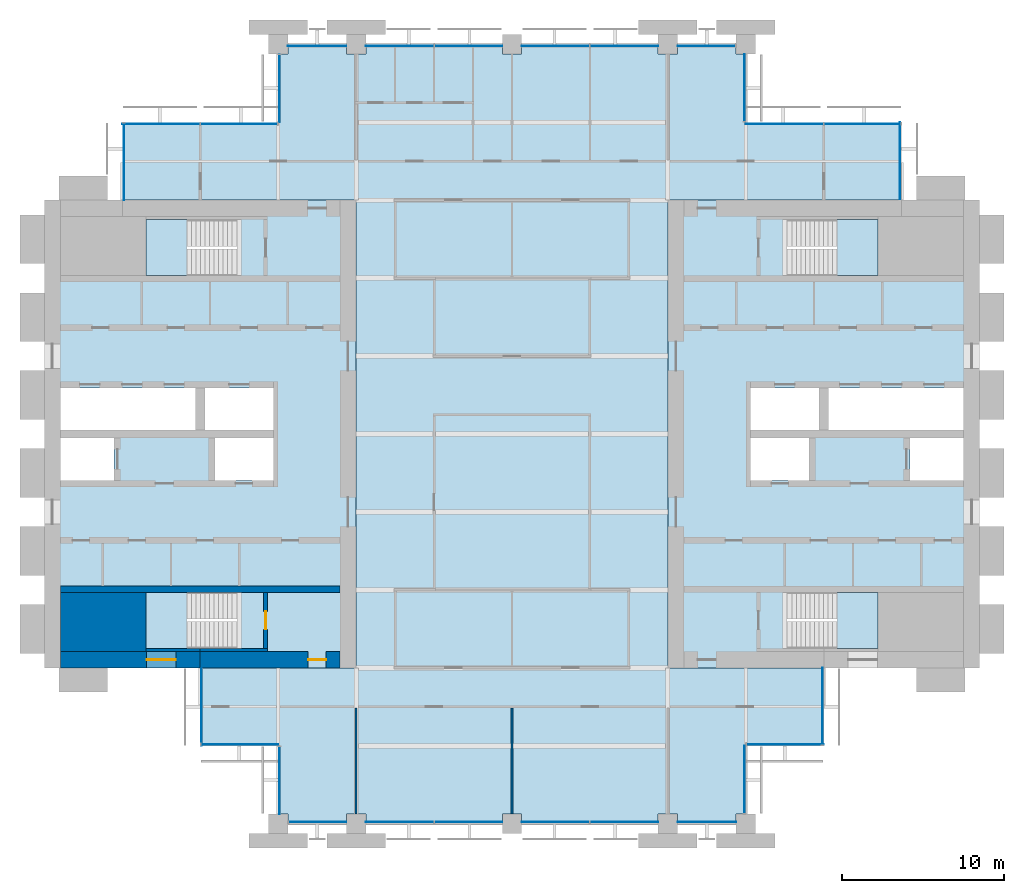
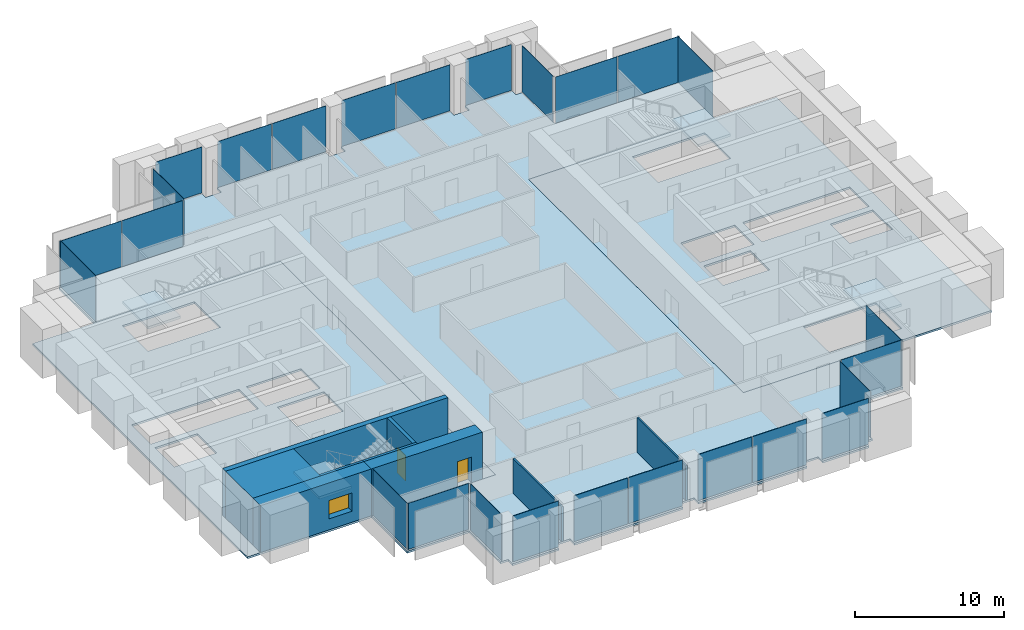
# One storey, part 8 of 14: 26 plates, 9 walls, 7 slabs, 2 doors, 1 window, 3 openings, 18 elements without a shape of their own.
"""IFC4 building model written with IfcOpenShell, lengths in metres."""

from ifc_helpers import new_model, si_unit, direction, frame, frame_2d, origin, origin_2d, place, context, subcontext, project, spatial, polyline, rectangle, outline, extrude, material, layer, layer_set, type_object, element, fill, aggregate, save


model = new_model("IFC4")

# Units and contexts
model_context = context("Model", 3, precision=1e-05, world=origin(), true_north=direction((0.0, 1.0)))
body_context = subcontext(model_context, "Body", "Model", "MODEL_VIEW")
ifc_project = project(units=[si_unit("LENGTHUNIT", "METRE"), si_unit("AREAUNIT", "SQUARE_METRE"), si_unit("VOLUMEUNIT", "CUBIC_METRE"), si_unit("PLANEANGLEUNIT", "RADIAN"), si_unit("MASSUNIT", "GRAM", prefix="KILO")], contexts=[model_context])

# Site, building, storey
site_placement = place(None, origin())
site = spatial("IfcSite", under=ifc_project, at=site_placement, CompositionType="ELEMENT")
building_placement = place(site_placement, origin())
building = spatial("IfcBuilding", under=site, at=building_placement, Name="Baori Bourse Tower", CompositionType="ELEMENT")
storey_placement = place(building_placement, frame((0.0, 0.0, 136.10009765625)))
storey = spatial("IfcBuildingStorey", under=building, at=storey_placement, Name="L29", CompositionType="ELEMENT", Elevation=136.10009765625)

# Curtain wall, plates
ifc_material_1 = material(Name="Pale anodised aluminium", Category="aluminium")
curtain_wall_type_1 = type_object("IfcCurtainWallType", Name="CW1 Curtain wall", PredefinedType="NOTDEFINED", material=ifc_material_1)
curtain_wall_1_placement = place(storey_placement, origin())
curtain_wall_1 = element("IfcCurtainWall", 1, at=curtain_wall_1_placement, inside=storey, type_object=curtain_wall_type_1, Name="Curtain wall CW1 L29 4", PredefinedType="NOTDEFINED")
ifc_material_2 = material(Name="Clear glass", Category="glass")
ifc_layer_1 = layer(ifc_material_2, 0.033935546875)
ifc_layer_set_1 = layer_set([ifc_layer_1], Name="CW1 Curtain wall panel")
plate_type_1 = type_object("IfcPlateType", Name="CW1 Curtain wall panel", PredefinedType="CURTAIN_PANEL", material=ifc_layer_set_1)
plate_1_placement = place(storey_placement, frame((40.77001953125, 47.89990234375, 0.080078125), z_axis=(0.0, 0.0, 1.0), x_axis=(-1.0, 0.0, 0.0)))
plate_1 = element("IfcPlate", 2, at=plate_1_placement, type_object=plate_type_1, Name="Curtain wall CW1 panel", PredefinedType="CURTAIN_PANEL", context=body_context, shape_type="SweptSolid", body=[
    extrude(rectangle(XDim=3.5400390625, YDim=0.033935546875, at=origin_2d()), origin(), (0.0, 0.0, 1.0), 3.760009765625),
])
plate_2_placement = place(storey_placement, frame((35.715087890625, 47.89990234375, 0.080078125), z_axis=(0.0, 0.0, 1.0), x_axis=(-1.0, 0.0, 0.0)))
plate_2 = element("IfcPlate", 3, at=plate_2_placement, type_object=plate_type_1, Name="Curtain wall CW1 panel", PredefinedType="CURTAIN_PANEL", context=body_context, shape_type="SweptSolid", body=[
    extrude(rectangle(XDim=4.169921875, YDim=0.033935546875, at=origin_2d()), origin(), (0.0, 0.0, 1.0), 3.760009765625),
])
plate_3_placement = place(storey_placement, frame((31.485107421875, 47.89990234375, 0.080078125), z_axis=(0.0, 0.0, 1.0), x_axis=(-1.0, 0.0, 0.0)))
plate_3 = element("IfcPlate", 4, at=plate_3_placement, type_object=plate_type_1, Name="Curtain wall CW1 panel", PredefinedType="CURTAIN_PANEL", context=body_context, shape_type="SweptSolid", body=[
    extrude(rectangle(XDim=4.169921875, YDim=0.033935546875, at=origin_2d()), origin(), (0.0, 0.0, 1.0), 3.760009765625),
])
plate_4_placement = place(storey_placement, frame((26.114990234375, 47.89990234375, 0.080078125), z_axis=(0.0, 0.0, 1.0), x_axis=(-1.0, 0.0, 0.0)))
plate_4 = element("IfcPlate", 5, at=plate_4_placement, type_object=plate_type_1, Name="Curtain wall CW1 panel", PredefinedType="CURTAIN_PANEL", context=body_context, shape_type="SweptSolid", body=[
    extrude(rectangle(XDim=4.169921875, YDim=0.033935546875, at=origin_2d()), origin(), (0.0, 0.0, 1.0), 3.760009765625),
])
plate_5_placement = place(storey_placement, frame((21.885009765625, 47.89990234375, 0.080078125), z_axis=(0.0, 0.0, 1.0), x_axis=(-1.0, 0.0, 0.0)))
plate_5 = element("IfcPlate", 6, at=plate_5_placement, type_object=plate_type_1, Name="Curtain wall CW1 panel", PredefinedType="CURTAIN_PANEL", context=body_context, shape_type="SweptSolid", body=[
    extrude(rectangle(XDim=4.169921875, YDim=0.033935546875, at=origin_2d()), origin(), (0.0, 0.0, 1.0), 3.760009765625),
])
plate_6_placement = place(storey_placement, frame((16.800048828125, 47.89990234375, 0.080078125), z_axis=(0.0, 0.0, 1.0), x_axis=(-1.0, 0.0, 0.0)))
plate_6 = element("IfcPlate", 7, at=plate_6_placement, type_object=plate_type_1, Name="Curtain wall CW1 panel", PredefinedType="CURTAIN_PANEL", context=body_context, shape_type="SweptSolid", body=[
    extrude(rectangle(XDim=3.60009765625, YDim=0.033935546875, at=origin_2d()), origin(), (0.0, 0.0, 1.0), 3.760009765625),
])
aggregate(curtain_wall_1, [plate_1, plate_2, plate_3, plate_4, plate_5, plate_6])

curtain_wall_2_placement = place(storey_placement, origin())
curtain_wall_2 = element("IfcCurtainWall", 8, at=curtain_wall_2_placement, inside=storey, type_object=curtain_wall_type_1, Name="Curtain wall CW1 L29 11", PredefinedType="NOTDEFINED")
plate_7_placement = place(storey_placement, frame((16.830078125, 0.10009765625, 0.080078125), z_axis=(0.0, 0.0, 1.0), x_axis=(1.0, 0.0, 0.0)))
plate_7 = element("IfcPlate", 9, at=plate_7_placement, type_object=plate_type_1, Name="Curtain wall CW1 panel", PredefinedType="CURTAIN_PANEL", context=body_context, shape_type="SweptSolid", body=[
    extrude(rectangle(XDim=3.5400390625, YDim=0.033935546875, at=origin_2d()), origin(), (0.0, 0.0, 1.0), 3.760009765625),
])
plate_8_placement = place(storey_placement, frame((21.885009765625, 0.10009765625, 0.080078125), z_axis=(0.0, 0.0, 1.0), x_axis=(1.0, 0.0, 0.0)))
plate_8 = element("IfcPlate", 10, at=plate_8_placement, type_object=plate_type_1, Name="Curtain wall CW1 panel", PredefinedType="CURTAIN_PANEL", context=body_context, shape_type="SweptSolid", body=[
    extrude(rectangle(XDim=4.169921875, YDim=0.033935546875, at=origin_2d()), origin(), (0.0, 0.0, 1.0), 3.760009765625),
])
plate_9_placement = place(storey_placement, frame((26.114990234375, 0.10009765625, 0.080078125), z_axis=(0.0, 0.0, 1.0), x_axis=(1.0, 0.0, 0.0)))
plate_9 = element("IfcPlate", 11, at=plate_9_placement, type_object=plate_type_1, Name="Curtain wall CW1 panel", PredefinedType="CURTAIN_PANEL", context=body_context, shape_type="SweptSolid", body=[
    extrude(rectangle(XDim=4.169921875, YDim=0.033935546875, at=origin_2d()), origin(), (0.0, 0.0, 1.0), 3.760009765625),
])
plate_10_placement = place(storey_placement, frame((31.485107421875, 0.10009765625, 0.080078125), z_axis=(0.0, 0.0, 1.0), x_axis=(1.0, 0.0, 0.0)))
plate_10 = element("IfcPlate", 12, at=plate_10_placement, type_object=plate_type_1, Name="Curtain wall CW1 panel", PredefinedType="CURTAIN_PANEL", context=body_context, shape_type="SweptSolid", body=[
    extrude(rectangle(XDim=4.169921875, YDim=0.033935546875, at=origin_2d()), origin(), (0.0, 0.0, 1.0), 3.760009765625),
])
plate_11_placement = place(storey_placement, frame((35.715087890625, 0.10009765625, 0.080078125), z_axis=(0.0, 0.0, 1.0), x_axis=(1.0, 0.0, 0.0)))
plate_11 = element("IfcPlate", 13, at=plate_11_placement, type_object=plate_type_1, Name="Curtain wall CW1 panel", PredefinedType="CURTAIN_PANEL", context=body_context, shape_type="SweptSolid", body=[
    extrude(rectangle(XDim=4.169921875, YDim=0.033935546875, at=origin_2d()), origin(), (0.0, 0.0, 1.0), 3.760009765625),
])
plate_12_placement = place(storey_placement, frame((40.800048828125, 0.10009765625, 0.080078125), z_axis=(0.0, 0.0, 1.0), x_axis=(1.0, 0.0, 0.0)))
plate_12 = element("IfcPlate", 14, at=plate_12_placement, type_object=plate_type_1, Name="Curtain wall CW1 panel", PredefinedType="CURTAIN_PANEL", context=body_context, shape_type="SweptSolid", body=[
    extrude(rectangle(XDim=3.60009765625, YDim=0.033935546875, at=origin_2d()), origin(), (0.0, 0.0, 1.0), 3.760009765625),
])
aggregate(curtain_wall_2, [plate_7, plate_8, plate_9, plate_10, plate_11, plate_12])

# Curtain wall, plate
ifc_material_3 = material(Name="Pale anodised aluminium", Category="aluminium")
curtain_wall_type_2 = type_object("IfcCurtainWallType", Name="CW2 Curtain wall", PredefinedType="NOTDEFINED", material=ifc_material_3)
curtain_wall_3_placement = place(storey_placement, origin())
curtain_wall_3 = element("IfcCurtainWall", 15, at=curtain_wall_3_placement, inside=storey, type_object=curtain_wall_type_2, Name="Curtain wall CW2 L29 1", PredefinedType="NOTDEFINED")
ifc_material_4 = material(Name="Clear glass", Category="glass")
ifc_layer_2 = layer(ifc_material_4, 0.030029296875)
ifc_layer_set_2 = layer_set([ifc_layer_2], Name="CW2 Curtain wall panel")
plate_type_2 = type_object("IfcPlateType", Name="CW2 Curtain wall panel", PredefinedType="CURTAIN_PANEL", material=ifc_layer_set_2)
plate_13_placement = place(storey_placement, frame((52.7099609375, 40.827392578125, 0.06982421875), z_axis=(0.0, 0.0, 1.0), x_axis=(0.0, 1.0, 0.0)))
plate_13 = element("IfcPlate", 16, at=plate_13_placement, type_object=plate_type_2, Name="Curtain wall CW2 panel", PredefinedType="CURTAIN_PANEL", context=body_context, shape_type="SweptSolid", body=[
    extrude(rectangle(XDim=4.7451171875, YDim=0.030029296875, at=origin_2d()), origin(), (0.0, 0.0, 1.0), 3.77001953125),
])
aggregate(curtain_wall_3, [plate_13])

# Curtain wall, plates
curtain_wall_4_placement = place(storey_placement, origin())
curtain_wall_4 = element("IfcCurtainWall", 17, at=curtain_wall_4_placement, inside=storey, type_object=curtain_wall_type_2, Name="Curtain wall CW2 L29 2", PredefinedType="NOTDEFINED")
plate_14_placement = place(storey_placement, frame((50.38623046875, 43.110107421875, 0.06982421875), z_axis=(0.0, 0.0, 1.0), x_axis=(-1.0, 0.0, 0.0)))
plate_14 = element("IfcPlate", 18, at=plate_14_placement, type_object=plate_type_2, Name="Curtain wall CW2 panel", PredefinedType="CURTAIN_PANEL", context=body_context, shape_type="SweptSolid", body=[
    extrude(rectangle(XDim=4.717529296875, YDim=0.030029296875, at=origin_2d()), origin(), (0.0, 0.0, 1.0), 3.77001953125),
])
plate_15_placement = place(storey_placement, frame((45.586181640625, 43.110107421875, 0.06982421875), z_axis=(0.0, 0.0, 1.0), x_axis=(-1.0, 0.0, 0.0)))
plate_15 = element("IfcPlate", 19, at=plate_15_placement, type_object=plate_type_2, Name="Curtain wall CW2 panel", PredefinedType="CURTAIN_PANEL", context=body_context, shape_type="SweptSolid", body=[
    extrude(rectangle(XDim=4.7724609375, YDim=0.030029296875, at=origin_2d()), origin(), (0.0, 0.0, 1.0), 3.77001953125),
])
aggregate(curtain_wall_4, [plate_14, plate_15])

# Curtain wall, plate
curtain_wall_5_placement = place(storey_placement, origin())
curtain_wall_5 = element("IfcCurtainWall", 20, at=curtain_wall_5_placement, inside=storey, type_object=curtain_wall_type_2, Name="Curtain wall CW2 L29 3", PredefinedType="NOTDEFINED")
plate_16_placement = place(storey_placement, frame((43.110107421875, 45.327392578125, 0.06982421875), z_axis=(0.0, 0.0, 1.0), x_axis=(0.0, 1.0, 0.0)))
plate_16 = element("IfcPlate", 21, at=plate_16_placement, type_object=plate_type_2, Name="Curtain wall CW2 panel", PredefinedType="CURTAIN_PANEL", context=body_context, shape_type="SweptSolid", body=[
    extrude(rectangle(XDim=4.14501953125, YDim=0.030029296875, at=origin_2d()), origin(), (0.0, 0.0, 1.0), 3.77001953125),
])
aggregate(curtain_wall_5, [plate_16])

curtain_wall_6_placement = place(storey_placement, origin())
curtain_wall_6 = element("IfcCurtainWall", 22, at=curtain_wall_6_placement, inside=storey, type_object=curtain_wall_type_2, Name="Curtain wall CW2 L29 5", PredefinedType="NOTDEFINED")
plate_17_placement = place(storey_placement, frame((14.489990234375, 45.2724609375, 0.06982421875), z_axis=(0.0, 0.0, 1.0), x_axis=(0.0, -1.0, 0.0)))
plate_17 = element("IfcPlate", 23, at=plate_17_placement, type_object=plate_type_2, Name="Curtain wall CW2 panel", PredefinedType="CURTAIN_PANEL", context=body_context, shape_type="SweptSolid", body=[
    extrude(rectangle(XDim=4.14501953125, YDim=0.030029296875, at=origin_2d()), origin(), (0.0, 0.0, 1.0), 3.77001953125),
])
aggregate(curtain_wall_6, [plate_17])

# Curtain wall, plates
curtain_wall_7_placement = place(storey_placement, origin())
curtain_wall_7 = element("IfcCurtainWall", 24, at=curtain_wall_7_placement, inside=storey, type_object=curtain_wall_type_2, Name="Curtain wall CW2 L29 6", PredefinedType="NOTDEFINED")
plate_18_placement = place(storey_placement, frame((11.986328125, 43.110107421875, 0.06982421875), z_axis=(0.0, 0.0, 1.0), x_axis=(-1.0, 0.0, 0.0)))
plate_18 = element("IfcPlate", 25, at=plate_18_placement, type_object=plate_type_2, Name="Curtain wall CW2 panel", PredefinedType="CURTAIN_PANEL", context=body_context, shape_type="SweptSolid", body=[
    extrude(rectangle(XDim=4.717529296875, YDim=0.030029296875, at=origin_2d()), origin(), (0.0, 0.0, 1.0), 3.77001953125),
])
plate_19_placement = place(storey_placement, frame((7.186279296875, 43.110107421875, 0.06982421875), z_axis=(0.0, 0.0, 1.0), x_axis=(-1.0, 0.0, 0.0)))
plate_19 = element("IfcPlate", 26, at=plate_19_placement, type_object=plate_type_2, Name="Curtain wall CW2 panel", PredefinedType="CURTAIN_PANEL", context=body_context, shape_type="SweptSolid", body=[
    extrude(rectangle(XDim=4.7724609375, YDim=0.030029296875, at=origin_2d()), origin(), (0.0, 0.0, 1.0), 3.77001953125),
])
aggregate(curtain_wall_7, [plate_18, plate_19])

# Curtain wall, plate
curtain_wall_8_placement = place(storey_placement, origin())
curtain_wall_8 = element("IfcCurtainWall", 27, at=curtain_wall_8_placement, inside=storey, type_object=curtain_wall_type_2, Name="Curtain wall CW2 L29 7", PredefinedType="NOTDEFINED")
plate_20_placement = place(storey_placement, frame((4.889892578125, 40.7724609375, 0.06982421875), z_axis=(0.0, 0.0, 1.0), x_axis=(0.0, -1.0, 0.0)))
plate_20 = element("IfcPlate", 28, at=plate_20_placement, type_object=plate_type_2, Name="Curtain wall CW2 panel", PredefinedType="CURTAIN_PANEL", context=body_context, shape_type="SweptSolid", body=[
    extrude(rectangle(XDim=4.7451171875, YDim=0.030029296875, at=origin_2d()), origin(), (0.0, 0.0, 1.0), 3.77001953125),
])
aggregate(curtain_wall_8, [plate_20])

curtain_wall_9_placement = place(storey_placement, origin())
curtain_wall_9 = element("IfcCurtainWall", 29, at=curtain_wall_9_placement, inside=storey, type_object=curtain_wall_type_2, Name="Curtain wall CW2 L29 8", PredefinedType="NOTDEFINED")
plate_21_placement = place(storey_placement, frame((9.68994140625, 7.172607421875, 0.06982421875), z_axis=(0.0, 0.0, 1.0), x_axis=(0.0, -1.0, 0.0)))
plate_21 = element("IfcPlate", 30, at=plate_21_placement, type_object=plate_type_2, Name="Curtain wall CW2 panel", PredefinedType="CURTAIN_PANEL", context=body_context, shape_type="SweptSolid", body=[
    extrude(rectangle(XDim=4.7451171875, YDim=0.030029296875, at=origin_2d()), origin(), (0.0, 0.0, 1.0), 3.77001953125),
])
aggregate(curtain_wall_9, [plate_21])

curtain_wall_10_placement = place(storey_placement, origin())
curtain_wall_10 = element("IfcCurtainWall", 31, at=curtain_wall_10_placement, inside=storey, type_object=curtain_wall_type_2, Name="Curtain wall CW2 L29 9", PredefinedType="NOTDEFINED")
plate_22_placement = place(storey_placement, frame((12.027587890625, 4.889892578125, 0.06982421875), z_axis=(0.0, 0.0, 1.0), x_axis=(1.0, 0.0, 0.0)))
plate_22 = element("IfcPlate", 32, at=plate_22_placement, type_object=plate_type_2, Name="Curtain wall CW2 panel", PredefinedType="CURTAIN_PANEL", context=body_context, shape_type="SweptSolid", body=[
    extrude(rectangle(XDim=4.7451171875, YDim=0.030029296875, at=origin_2d()), origin(), (0.0, 0.0, 1.0), 3.77001953125),
])
aggregate(curtain_wall_10, [plate_22])

curtain_wall_11_placement = place(storey_placement, origin())
curtain_wall_11 = element("IfcCurtainWall", 33, at=curtain_wall_11_placement, inside=storey, type_object=curtain_wall_type_2, Name="Curtain wall CW2 L29 10", PredefinedType="NOTDEFINED")
plate_23_placement = place(storey_placement, frame((14.489990234375, 2.672607421875, 0.06982421875), z_axis=(0.0, 0.0, 1.0), x_axis=(0.0, -1.0, 0.0)))
plate_23 = element("IfcPlate", 34, at=plate_23_placement, type_object=plate_type_2, Name="Curtain wall CW2 panel", PredefinedType="CURTAIN_PANEL", context=body_context, shape_type="SweptSolid", body=[
    extrude(rectangle(XDim=4.14501953125, YDim=0.030029296875, at=origin_2d()), origin(), (0.0, 0.0, 1.0), 3.77001953125),
])
aggregate(curtain_wall_11, [plate_23])

curtain_wall_12_placement = place(storey_placement, origin())
curtain_wall_12 = element("IfcCurtainWall", 35, at=curtain_wall_12_placement, inside=storey, type_object=curtain_wall_type_2, Name="Curtain wall CW2 L29 12", PredefinedType="NOTDEFINED")
plate_24_placement = place(storey_placement, frame((43.110107421875, 2.7275390625, 0.06982421875), z_axis=(0.0, 0.0, 1.0), x_axis=(0.0, 1.0, 0.0)))
plate_24 = element("IfcPlate", 36, at=plate_24_placement, type_object=plate_type_2, Name="Curtain wall CW2 panel", PredefinedType="CURTAIN_PANEL", context=body_context, shape_type="SweptSolid", body=[
    extrude(rectangle(XDim=4.14501953125, YDim=0.030029296875, at=origin_2d()), origin(), (0.0, 0.0, 1.0), 3.77001953125),
])
aggregate(curtain_wall_12, [plate_24])

curtain_wall_13_placement = place(storey_placement, origin())
curtain_wall_13 = element("IfcCurtainWall", 37, at=curtain_wall_13_placement, inside=storey, type_object=curtain_wall_type_2, Name="Curtain wall CW2 L29 13", PredefinedType="NOTDEFINED")
plate_25_placement = place(storey_placement, frame((45.62744140625, 4.889892578125, 0.06982421875), z_axis=(0.0, 0.0, 1.0), x_axis=(1.0, 0.0, 0.0)))
plate_25 = element("IfcPlate", 38, at=plate_25_placement, type_object=plate_type_2, Name="Curtain wall CW2 panel", PredefinedType="CURTAIN_PANEL", context=body_context, shape_type="SweptSolid", body=[
    extrude(rectangle(XDim=4.7451171875, YDim=0.030029296875, at=origin_2d()), origin(), (0.0, 0.0, 1.0), 3.77001953125),
])
aggregate(curtain_wall_13, [plate_25])

curtain_wall_14_placement = place(storey_placement, origin())
curtain_wall_14 = element("IfcCurtainWall", 39, at=curtain_wall_14_placement, inside=storey, type_object=curtain_wall_type_2, Name="Curtain wall CW2 L29 14", PredefinedType="NOTDEFINED")
plate_26_placement = place(storey_placement, frame((47.909912109375, 7.2275390625, 0.06982421875), z_axis=(0.0, 0.0, 1.0), x_axis=(0.0, 1.0, 0.0)))
plate_26 = element("IfcPlate", 40, at=plate_26_placement, type_object=plate_type_2, Name="Curtain wall CW2 panel", PredefinedType="CURTAIN_PANEL", context=body_context, shape_type="SweptSolid", body=[
    extrude(rectangle(XDim=4.7451171875, YDim=0.030029296875, at=origin_2d()), origin(), (0.0, 0.0, 1.0), 3.77001953125),
])
aggregate(curtain_wall_14, [plate_26])

# Slabs
ifc_material_5 = material(Name="Concrete f'c 50 MPa", Category="concrete")
ifc_layer_3 = layer(ifc_material_5, 0.159912109375)
ifc_layer_set_3 = layer_set([ifc_layer_3], Name="Core slab 160")
slab_type_1 = type_object("IfcSlabType", Name="Core slab 160", PredefinedType="FLOOR", material=ifc_layer_set_3)
slab_1_placement = place(storey_placement, frame((0.0, 0.0, -0.16015625)))
element("IfcSlab", 41, at=slab_1_placement, inside=storey, type_object=slab_type_1, Name="Core floor slab W01", PredefinedType="FLOOR", context=body_context, shape_type="SweptSolid", body=[
    extrude(outline(polyline([(0.0, 38.39990234375), (0.0, 9.60009765625), (19.199951171875, 9.60009765625), (19.199951171875, 38.39990234375), (0.0, 38.39990234375)]), holes=[polyline([(10.5, 21.14990234375), (10.5, 23.75), (14.10009765625, 23.75), (14.10009765625, 21.14990234375), (10.5, 21.14990234375)]), polyline([(14.10009765625, 24.25), (9.89990234375, 24.25), (9.89990234375, 26.85009765625), (14.10009765625, 26.85009765625), (14.10009765625, 24.25)]), polyline([(6.25, 14.25), (11.84912109375, 14.25), (11.84912109375, 10.800048828125), (6.25, 10.800048828125), (6.25, 14.25)]), polyline([(11.84912109375, 37.199951171875), (11.84912109375, 33.75), (6.25, 33.75), (6.25, 37.199951171875), (11.84912109375, 37.199951171875)]), polyline([(1.0, 26.85009765625), (9.300048828125, 26.85009765625), (9.300048828125, 24.25), (1.0, 24.25), (1.0, 26.85009765625)]), polyline([(4.300048828125, 23.75), (4.300048828125, 21.14990234375), (1.0, 21.14990234375), (1.0, 23.75), (4.300048828125, 23.75)])]), origin(), (0.0, 0.0, 1.0), 0.16015625),
])
slab_2_placement = place(storey_placement, frame((0.0, 0.0, -0.16015625)))
element("IfcSlab", 42, at=slab_2_placement, inside=storey, type_object=slab_type_1, Name="Core floor slab E01", PredefinedType="FLOOR", context=body_context, shape_type="SweptSolid", body=[
    extrude(outline(polyline([(57.60009765625, 38.39990234375), (38.39990234375, 38.39990234375), (38.39990234375, 9.60009765625), (57.60009765625, 9.60009765625), (57.60009765625, 38.39990234375)]), holes=[polyline([(56.60009765625, 21.14990234375), (53.300048828125, 21.14990234375), (53.300048828125, 23.75), (56.60009765625, 23.75), (56.60009765625, 21.14990234375)]), polyline([(56.60009765625, 26.85009765625), (56.60009765625, 24.25), (48.300048828125, 24.25), (48.300048828125, 26.85009765625), (56.60009765625, 26.85009765625)]), polyline([(45.750732421875, 14.25), (51.35009765625, 14.25), (51.35009765625, 10.800048828125), (45.750732421875, 10.800048828125), (45.750732421875, 14.25)]), polyline([(51.35009765625, 37.199951171875), (51.35009765625, 33.75), (45.750732421875, 33.75), (45.750732421875, 37.199951171875), (51.35009765625, 37.199951171875)]), polyline([(43.5, 24.25), (43.5, 26.85009765625), (47.699951171875, 26.85009765625), (47.699951171875, 24.25), (43.5, 24.25)]), polyline([(43.5, 23.75), (47.10009765625, 23.75), (47.10009765625, 21.14990234375), (43.5, 21.14990234375), (43.5, 23.75)])]), origin(), (0.0, 0.0, 1.0), 0.16015625),
])

# Stair, slab
ifc_material_6 = material(Name="Concrete f'c 50 MPa", Category="concrete")
stair_type = type_object("IfcStairType", Name="Core stair", PredefinedType="HALF_TURN_STAIR", material=ifc_material_6)
stair_1_placement = place(storey_placement, origin())
stair_1 = element("IfcStair", 43, at=stair_1_placement, inside=storey, type_object=stair_type, Name="L29 Stair WA", PredefinedType="HALF_TURN_STAIR")
ifc_material_7 = material(Name="Concrete f'c 50 MPa", Category="concrete")
slab_type_2 = type_object("IfcSlabType", Name="Core stair landing", PredefinedType="LANDING", material=ifc_material_7)
slab_3_placement = place(storey_placement, frame((0.0, 0.0, 1.7998046875)))
slab_3 = element("IfcSlab", 44, at=slab_3_placement, type_object=slab_type_2, Name="ST1 landing 1", PredefinedType="LANDING", context=body_context, shape_type="SweptSolid", body=[
    extrude(outline(polyline([(8.77001953125, 14.25), (6.25, 14.25), (6.25, 10.800048828125), (8.77001953125, 10.800048828125), (8.77001953125, 14.25)])), origin(), (0.0, 0.0, 1.0), 0.2001953125),
])
aggregate(stair_1, [slab_3])

stair_2_placement = place(storey_placement, origin())
stair_2 = element("IfcStair", 45, at=stair_2_placement, inside=storey, type_object=stair_type, Name="L29 Stair WB", PredefinedType="HALF_TURN_STAIR")
slab_4_placement = place(storey_placement, frame((0.0, 0.0, 1.7998046875)))
slab_4 = element("IfcSlab", 46, at=slab_4_placement, type_object=slab_type_2, Name="ST2 landing 1", PredefinedType="LANDING", context=body_context, shape_type="SweptSolid", body=[
    extrude(outline(polyline([(8.77001953125, 37.199951171875), (6.25, 37.199951171875), (6.25, 33.75), (8.77001953125, 33.75), (8.77001953125, 37.199951171875)])), origin(), (0.0, 0.0, 1.0), 0.2001953125),
])
aggregate(stair_2, [slab_4])

stair_3_placement = place(storey_placement, origin())
stair_3 = element("IfcStair", 47, at=stair_3_placement, inside=storey, type_object=stair_type, Name="L29 Stair EA", PredefinedType="HALF_TURN_STAIR")
slab_5_placement = place(storey_placement, frame((0.0, 0.0, 1.7998046875)))
slab_5 = element("IfcSlab", 48, at=slab_5_placement, type_object=slab_type_2, Name="ST3 landing 1", PredefinedType="LANDING", context=body_context, shape_type="SweptSolid", body=[
    extrude(outline(polyline([(48.830078125, 10.800048828125), (51.35009765625, 10.800048828125), (51.35009765625, 14.25), (48.830078125, 14.25), (48.830078125, 10.800048828125)])), origin(), (0.0, 0.0, 1.0), 0.2001953125),
])
aggregate(stair_3, [slab_5])

stair_4_placement = place(storey_placement, origin())
stair_4 = element("IfcStair", 49, at=stair_4_placement, inside=storey, type_object=stair_type, Name="L29 Stair EB", PredefinedType="HALF_TURN_STAIR")
slab_6_placement = place(storey_placement, frame((0.0, 0.0, 1.7998046875)))
slab_6 = element("IfcSlab", 50, at=slab_6_placement, type_object=slab_type_2, Name="ST4 landing 1", PredefinedType="LANDING", context=body_context, shape_type="SweptSolid", body=[
    extrude(outline(polyline([(48.830078125, 33.75), (51.35009765625, 33.75), (51.35009765625, 37.199951171875), (48.830078125, 37.199951171875), (48.830078125, 33.75)])), origin(), (0.0, 0.0, 1.0), 0.2001953125),
])
aggregate(stair_4, [slab_6])

# Slab
ifc_material_8 = material(Name="Concrete f'c 40 MPa", Category="concrete")
ifc_layer_4 = layer(ifc_material_8, 0.159912109375)
ifc_layer_set_4 = layer_set([ifc_layer_4], Name="Floor slab 160")
slab_type_3 = type_object("IfcSlabType", Name="Floor slab 160", PredefinedType="FLOOR", material=ifc_layer_set_4)
slab_7_placement = place(storey_placement, frame((0.0, 0.0, -0.16015625)))
element("IfcSlab", 51, at=slab_7_placement, inside=storey, type_object=slab_type_3, Name="Floor slab L29", PredefinedType="FLOOR", context=body_context, shape_type="SweptSolid", body=[
    extrude(outline(polyline([(14.39990234375, 4.800048828125), (9.60009765625, 4.800048828125), (9.60009765625, 9.60009765625), (19.199951171875, 9.60009765625), (19.199951171875, 38.39990234375), (4.800048828125, 38.39990234375), (4.800048828125, 43.199951171875), (14.39990234375, 43.199951171875), (14.39990234375, 47.39990234375), (15.0, 47.39990234375), (15.0, 48.0), (18.60009765625, 48.0), (18.60009765625, 47.39990234375), (19.800048828125, 47.39990234375), (19.800048828125, 48.0), (28.199951171875, 48.0), (28.199951171875, 47.39990234375), (29.39990234375, 47.39990234375), (29.39990234375, 48.0), (37.800048828125, 48.0), (37.800048828125, 47.39990234375), (39.0, 47.39990234375), (39.0, 48.0), (42.60009765625, 48.0), (42.60009765625, 47.39990234375), (43.199951171875, 47.39990234375), (43.199951171875, 43.199951171875), (52.800048828125, 43.199951171875), (52.800048828125, 38.39990234375), (38.39990234375, 38.39990234375), (38.39990234375, 9.60009765625), (48.0, 9.60009765625), (48.0, 4.800048828125), (43.199951171875, 4.800048828125), (43.199951171875, 0.60009765625), (42.60009765625, 0.60009765625), (42.60009765625, 0.0), (39.0, 0.0), (39.0, 0.60009765625), (37.800048828125, 0.60009765625), (37.800048828125, 0.0), (29.39990234375, 0.0), (29.39990234375, 0.60009765625), (28.199951171875, 0.60009765625), (28.199951171875, 0.0), (19.800048828125, 0.0), (19.800048828125, 0.60009765625), (18.60009765625, 0.60009765625), (18.60009765625, 0.0), (15.0, 0.0), (15.0, 0.60009765625), (14.39990234375, 0.60009765625), (14.39990234375, 4.800048828125)])), origin(), (0.0, 0.0, 1.0), 0.16015625),
])

# Wall
ifc_material_9 = material(Name="Concrete f'c 60 MPa", Category="concrete")
wall_type_1 = type_object("IfcWallType", Name="Core corner block f'c 60", PredefinedType="SHEAR", material=ifc_material_9)
wall_1_placement = place(storey_placement, frame((1.0, 12.425048828125, 0.0), z_axis=(0.0, 0.0, 1.0), x_axis=(1.0, 0.0, 0.0)))
element("IfcWall", 52, at=wall_1_placement, inside=storey, type_object=wall_type_1, Name="Core wall W05", PredefinedType="SHEAR", context=body_context, shape_type="SweptSolid", body=[
    extrude(rectangle(XDim=5.25, YDim=3.64990234375, at=frame_2d((2.625, 0.0))), origin(), (0.0, 0.0, 1.0), 3.83984375),
])

# Wall, opening, window
ifc_material_10 = material(Name="Concrete f'c 60 MPa", Category="concrete")
ifc_layer_5 = layer(ifc_material_10, 1.0)
ifc_layer_set_5 = layer_set([ifc_layer_5], Name="Core wall 1000 f'c 60")
wall_type_2 = type_object("IfcWallType", Name="Core wall 1000 f'c 60", PredefinedType="SHEAR", material=ifc_layer_set_5)
wall_2_placement = place(storey_placement, frame((9.60009765625, 10.10009765625, 0.0), z_axis=(0.0, 0.0, 1.0), x_axis=(-1.0, 0.0, 0.0)))
wall_2 = element("IfcWall", 53, at=wall_2_placement, inside=storey, type_object=wall_type_2, Name="Core wall W02", PredefinedType="SHEAR", context=body_context, shape_type="SweptSolid", body=[
    extrude(rectangle(XDim=8.60009765625, YDim=1.0, at=frame_2d((4.300048828125, 0.0))), origin(), (0.0, 0.0, 1.0), 3.83984375),
])
opening_1_placement = place(wall_2_placement, frame((1.5, 0.0, 0.89990234375)))
opening_1 = element("IfcOpeningElement", 54, at=opening_1_placement, cuts=wall_2, Name="Opening L29-KW103", PredefinedType="OPENING", context=body_context, shape_type="SweptSolid", body=[
    extrude(rectangle(XDim=1.800048828125, YDim=1.5, at=frame_2d((0.89990234375, 0.75))), frame((0.0, 0.510009765625, 0.0), z_axis=(0.0, -1.0, 0.0), x_axis=(1.0, 0.0, 0.0)), (0.0, 0.0, 1.0), 1.02001953125),
])
ifc_material_11 = material(Name="Pale anodised aluminium", Category="aluminium")
window_type = type_object("IfcWindowType", Name="Stair window 1800 x 1500", PartitioningType="SINGLE_PANEL", PredefinedType="WINDOW", material=ifc_material_11)
window_placement = place(opening_1_placement, origin())
window = element("IfcWindow", 55, at=window_placement, inside=storey, type_object=window_type, Name="Stair window W L29 3", OverallHeight=1.5, OverallWidth=1.800048828125, PartitioningType="SINGLE_PANEL", PredefinedType="WINDOW", context=body_context, shape_type="SweptSolid", body=[
    extrude(rectangle(XDim=1.800048828125, YDim=1.5, at=frame_2d((0.89990234375, 0.75))), frame((0.0, 0.030029296875, 0.0), z_axis=(0.0, -1.0, 0.0), x_axis=(1.0, 0.0, 0.0)), (0.0, 0.0, 1.0), 0.06005859375),
])
fill(opening_1, window)

# Wall, opening, door
wall_3_placement = place(storey_placement, frame((18.199951171875, 10.10009765625, 0.0), z_axis=(0.0, 0.0, 1.0), x_axis=(-1.0, 0.0, 0.0)))
wall_3 = element("IfcWall", 56, at=wall_3_placement, inside=storey, type_object=wall_type_2, Name="Core wall W03", PredefinedType="SHEAR", context=body_context, shape_type="SweptSolid", body=[
    extrude(rectangle(XDim=8.599853515625, YDim=1.0, at=frame_2d((4.2998046875, 0.0))), origin(), (0.0, 0.0, 1.0), 3.83984375),
])
opening_2_placement = place(wall_3_placement, frame((0.85009765625, 0.0, 0.0)))
opening_2 = element("IfcOpeningElement", 57, at=opening_2_placement, cuts=wall_3, Name="Opening L29-D102", PredefinedType="OPENING", context=body_context, shape_type="SweptSolid", body=[
    extrude(rectangle(XDim=1.10009765625, YDim=2.10009765625, at=frame_2d((0.550048828125, 1.050048828125))), frame((0.0, 0.510009765625, 0.0), z_axis=(0.0, -1.0, 0.0), x_axis=(1.0, 0.0, 0.0)), (0.0, 0.0, 1.0), 1.02001953125),
])
ifc_material_12 = material(Name="Painted steel door", Category="steel")
door_type = type_object("IfcDoorType", Name="Stair door 1100", OperationType="SINGLE_SWING_LEFT", PredefinedType="DOOR", material=ifc_material_12)
door_1_placement = place(opening_2_placement, origin())
door_1 = element("IfcDoor", 58, at=door_1_placement, inside=storey, type_object=door_type, Name="Stair vestibule door A W L29", OperationType="SINGLE_SWING_LEFT", OverallHeight=2.10009765625, OverallWidth=1.10009765625, PredefinedType="DOOR", context=body_context, shape_type="SweptSolid", body=[
    extrude(rectangle(XDim=1.10009765625, YDim=2.10009765625, at=frame_2d((0.550048828125, 1.050048828125))), frame((0.0, 0.02490234375, 0.0), z_axis=(0.0, -1.0, 0.0), x_axis=(1.0, 0.0, 0.0)), (0.0, 0.0, 1.0), 0.050048828125),
])
fill(opening_2, door_1)

# Walls
ifc_material_13 = material(Name="Gypsum board partition")
ifc_layer_6 = layer(ifc_material_13, 0.125)
ifc_layer_set_6 = layer_set([ifc_layer_6], Name="Partition 125")
wall_type_3 = type_object("IfcWallType", Name="Partition 125", PredefinedType="PARTITIONING", material=ifc_layer_set_6)
for number, where, z_axis, x_axis, name in (
    (59, (19.199951171875, 0.60009765625, 0.0), (0.0, 0.0, 1.0), (0.0, 1.0, 0.0), "Partition"),
    (60, (28.800048828125, 0.60009765625, 0.0), (0.0, 0.0, 1.0), (0.0, 1.0, 0.0), "Partition"),
):
    element("IfcWall", number, at=place(storey_placement, frame(where, z_axis=z_axis, x_axis=x_axis)), inside=storey, type_object=wall_type_3, Name=name, PredefinedType="PARTITIONING", context=body_context, shape_type="SweptSolid", body=[
        extrude(rectangle(XDim=6.52490234375, YDim=0.125, at=frame_2d((3.262451171875, 0.0))), origin(), (0.0, 0.0, 1.0), 2.849365234375),
    ])
ifc_material_14 = material(Name="Concrete f'c 60 MPa", Category="concrete")
ifc_layer_7 = layer(ifc_material_14, 0.199951171875)
ifc_layer_set_7 = layer_set([ifc_layer_7], Name="Shaft wall 200 f'c 60")
wall_type_4 = type_object("IfcWallType", Name="Shaft wall 200 f'c 60", PredefinedType="SHEAR", material=ifc_layer_set_7)
wall_4_placement = place(storey_placement, frame((6.25, 10.699951171875, 0.0), z_axis=(0.0, 0.0, 1.0), x_axis=(1.0, 0.0, 0.0)))
element("IfcWall", 61, at=wall_4_placement, inside=storey, type_object=wall_type_4, Name="Core wall W06", PredefinedType="SHEAR", context=body_context, shape_type="SweptSolid", body=[
    extrude(rectangle(XDim=3.35009765625, YDim=0.199951171875, at=frame_2d((1.675048828125, 0.0))), origin(), (0.0, 0.0, 1.0), 3.83984375),
])
wall_5_placement = place(storey_placement, frame((9.60009765625, 10.699951171875, 0.0), z_axis=(0.0, 0.0, 1.0), x_axis=(1.0, 0.0, 0.0)))
element("IfcWall", 62, at=wall_5_placement, inside=storey, type_object=wall_type_4, Name="Core wall W07", PredefinedType="SHEAR", context=body_context, shape_type="SweptSolid", body=[
    extrude(rectangle(XDim=4.14990234375, YDim=0.199951171875, at=frame_2d((2.074951171875, 0.0))), origin(), (0.0, 0.0, 1.0), 3.83984375),
])

# Wall, opening, door
ifc_material_15 = material(Name="Concrete f'c 60 MPa", Category="concrete")
ifc_layer_8 = layer(ifc_material_15, 0.25)
ifc_layer_set_8 = layer_set([ifc_layer_8], Name="Shaft wall 250 f'c 60")
wall_type_5 = type_object("IfcWallType", Name="Shaft wall 250 f'c 60", PredefinedType="SHEAR", material=ifc_layer_set_8)
wall_6_placement = place(storey_placement, frame((13.625, 10.800048828125, 0.0), z_axis=(0.0, 0.0, 1.0), x_axis=(0.0, 1.0, 0.0)))
wall_6 = element("IfcWall", 63, at=wall_6_placement, inside=storey, type_object=wall_type_5, Name="Core wall W08", PredefinedType="SHEAR", context=body_context, shape_type="SweptSolid", body=[
    extrude(rectangle(XDim=3.449951171875, YDim=0.25, at=frame_2d((1.72509765625, 0.0))), origin(), (0.0, 0.0, 1.0), 3.83984375),
])
opening_3_placement = place(wall_6_placement, frame((1.175048828125, 0.0, 0.0)))
opening_3 = element("IfcOpeningElement", 64, at=opening_3_placement, cuts=wall_6, Name="Opening L29-D101", PredefinedType="OPENING", context=body_context, shape_type="SweptSolid", body=[
    extrude(rectangle(XDim=1.10009765625, YDim=2.10009765625, at=frame_2d((0.550048828125, 1.050048828125))), frame((0.0, 0.135009765625, 0.0), z_axis=(0.0, -1.0, 0.0), x_axis=(1.0, 0.0, 0.0)), (0.0, 0.0, 1.0), 0.27001953125),
])
door_2_placement = place(opening_3_placement, origin())
door_2 = element("IfcDoor", 65, at=door_2_placement, inside=storey, type_object=door_type, Name="Stair door A W L29", OperationType="SINGLE_SWING_LEFT", OverallHeight=2.10009765625, OverallWidth=1.10009765625, PredefinedType="DOOR", context=body_context, shape_type="SweptSolid", body=[
    extrude(rectangle(XDim=1.10009765625, YDim=2.10009765625, at=frame_2d((0.550048828125, 1.050048828125))), frame((0.0, 0.02490234375, 0.0), z_axis=(0.0, -1.0, 0.0), x_axis=(1.0, 0.0, 0.0)), (0.0, 0.0, 1.0), 0.050048828125),
])
fill(opening_3, door_2)

# Wall
ifc_material_16 = material(Name="Concrete f'c 60 MPa", Category="concrete")
ifc_layer_9 = layer(ifc_material_16, 0.39990234375)
ifc_layer_set_9 = layer_set([ifc_layer_9], Name="Shaft wall 400 f'c 60")
wall_type_6 = type_object("IfcWallType", Name="Shaft wall 400 f'c 60", PredefinedType="SHEAR", material=ifc_layer_set_9)
wall_7_placement = place(storey_placement, frame((1.0, 14.449951171875, 0.0), z_axis=(0.0, 0.0, 1.0), x_axis=(1.0, 0.0, 0.0)))
element("IfcWall", 66, at=wall_7_placement, inside=storey, type_object=wall_type_6, Name="Core wall W09", PredefinedType="SHEAR", context=body_context, shape_type="SweptSolid", body=[
    extrude(rectangle(XDim=17.199951171875, YDim=0.39990234375, at=frame_2d((8.60009765625, 0.0))), origin(), (0.0, 0.0, 1.0), 3.83984375),
])

save(model, "model.ifc")
